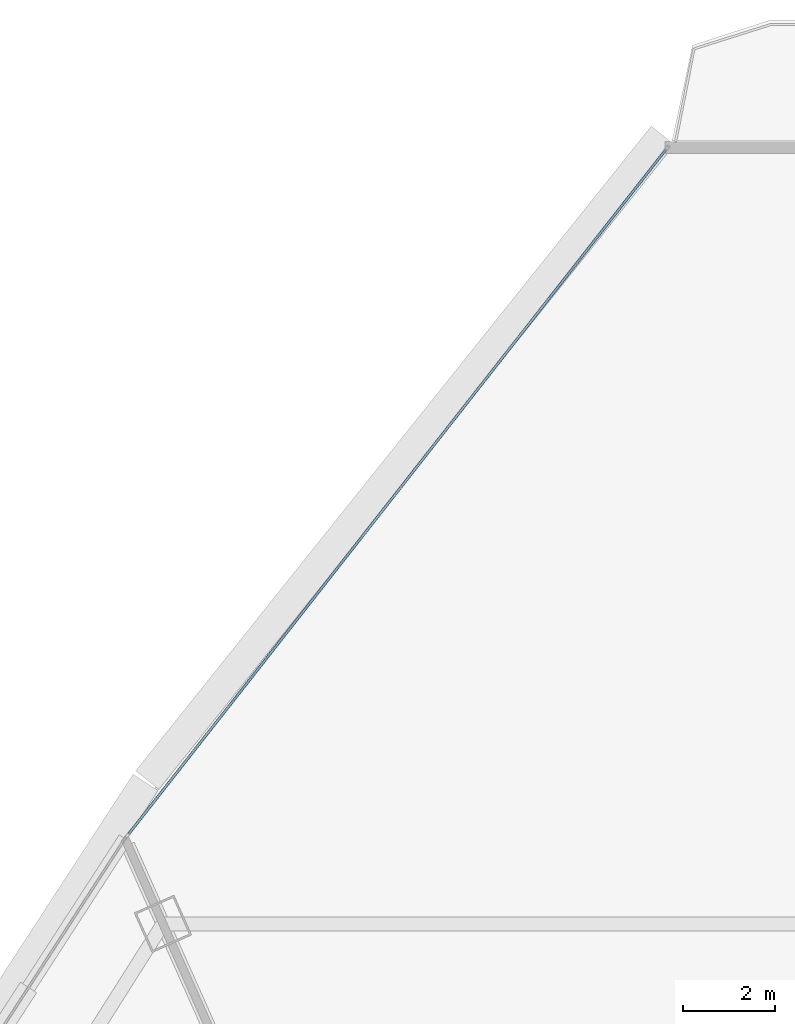
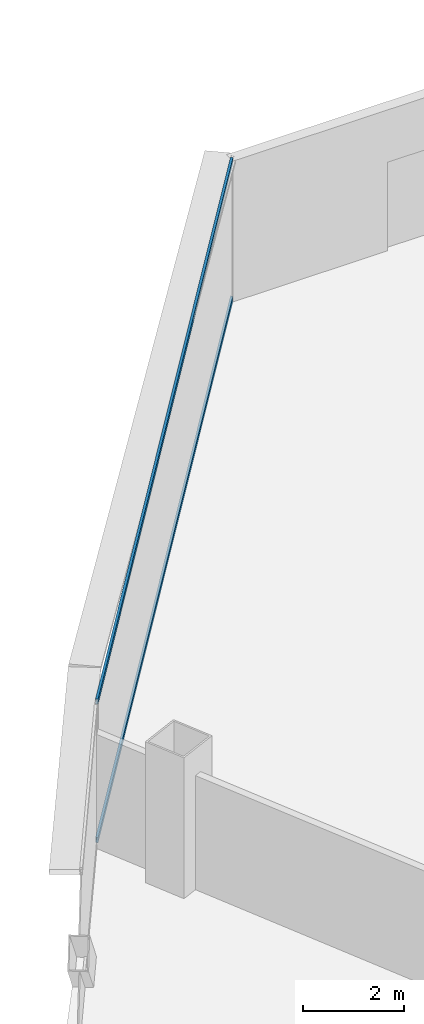
# One storey, part 28 of 42: 2 members, 1 element without a shape of its own.
"""IFC4 building model written with IfcOpenShell, lengths in metres."""

from ifc_helpers import new_model, si_unit, direction, frame, origin, origin_2d, place, context, subcontext, project, spatial, hollow_rectangle, extrude, source, transform, mapped, material, layer, layer_set, material_profile, profile_set, type_object, element, aggregate, save


model = new_model("IFC4")

# Units and contexts
model_context = context("Model", 3, precision=1e-05, world=origin(), true_north=direction((0.0, 1.0)))
body_context = subcontext(model_context, "Body", "Model", "MODEL_VIEW")
ifc_project = project(units=[si_unit("LENGTHUNIT", "METRE"), si_unit("AREAUNIT", "SQUARE_METRE"), si_unit("VOLUMEUNIT", "CUBIC_METRE"), si_unit("PLANEANGLEUNIT", "RADIAN"), si_unit("MASSUNIT", "GRAM", prefix="KILO"), si_unit("THERMODYNAMICTEMPERATUREUNIT", "KELVIN"), si_unit("POWERUNIT", "WATT")], contexts=[model_context])

# Site, building, storey
site_placement = place(None, origin())
site = spatial("IfcSite", under=ifc_project, at=site_placement, CompositionType="ELEMENT")
building_placement = place(site_placement, origin())
building = spatial("IfcBuilding", under=site, at=building_placement, Name="Yunzhuo Pagoda Commons", CompositionType="ELEMENT")
storey_placement = place(building_placement, frame((0.0, 0.0, 133.510009765625)))
storey = spatial("IfcBuildingStorey", under=building, at=storey_placement, Name="L33", CompositionType="ELEMENT", Elevation=133.510009765625)

# Curtain wall, members
ifc_material = material(Name="Anodized aluminium 6063-T6", Category="aluminium")
ifc_layer = layer(ifc_material, 0.14990234375)
ifc_layer_set = layer_set([ifc_layer], Name="Anodized aluminium 6063-T6")
curtain_wall_type = type_object("IfcCurtainWallType", Name="CW-MID Mid-Zone Ribbon Curtain Wall", PredefinedType="NOTDEFINED", material=ifc_layer_set)
curtain_wall_placement = place(storey_placement, origin())
curtain_wall = element("IfcCurtainWall", 1, at=curtain_wall_placement, inside=storey, type_object=curtain_wall_type, Name="L33 curtain wall CW-L33-F3B1", PredefinedType="NOTDEFINED")
ifc_material_profile = material_profile(ifc_material, hollow_rectangle(XDim=0.054931640625, YDim=0.1298828125, WallThickness=0.00341796875, at=origin_2d()), Name="Anodized aluminium 6063-T6")
ifc_profile_set = profile_set([ifc_material_profile], Name="Anodized aluminium 6063-T6")
member_type = type_object("IfcMemberType", Name="CW-MID-T Transom RHS 130x55x3.5", PredefinedType="USERDEFINED", material=ifc_profile_set)
shared_shape = source(origin(), body_context, "Body", "SweptSolid", [
    extrude(hollow_rectangle(XDim=0.054931640625, YDim=0.1298828125, WallThickness=0.00341796875, at=origin_2d()), origin(), (0.0, 0.0, 1.0), 18.9765625),
])
member_1_placement = place(storey_placement, frame((43.566650390625, 85.1962890625, 0.027587890625), z_axis=(-0.617497065847, -0.786573183925, 0.0), x_axis=(0.786573183925, -0.617497065847, 0.0)))
member_1 = element("IfcMember", 2, at=member_1_placement, type_object=member_type, Name="CW transom 1.1", ObjectType="TRANSOM", PredefinedType="USERDEFINED", context=body_context, shape_type="MappedRepresentation", body=[
    mapped(shared_shape, transform((0.0, 0.0, 0.0), scale=1.0)),
])
member_2_placement = place(storey_placement, frame((43.566650390625, 85.1962890625, 3.392578125), z_axis=(-0.617497065847, -0.786573183925, 0.0), x_axis=(0.786573183925, -0.617497065847, 0.0)))
member_2 = element("IfcMember", 3, at=member_2_placement, type_object=member_type, Name="CW transom 1.2", ObjectType="TRANSOM", PredefinedType="USERDEFINED", context=body_context, shape_type="MappedRepresentation", body=[
    mapped(shared_shape, transform((0.0, 0.0, 0.0), scale=1.0)),
])
aggregate(curtain_wall, [member_1, member_2])

save(model, "model.ifc")
